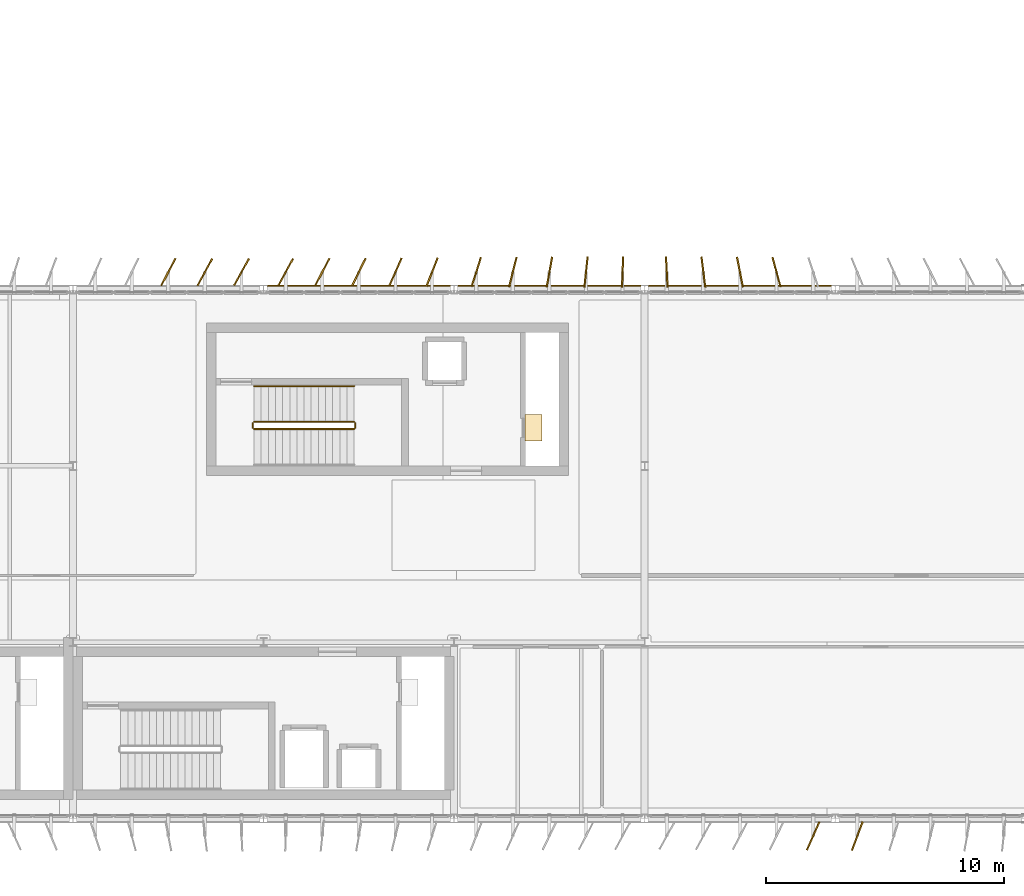
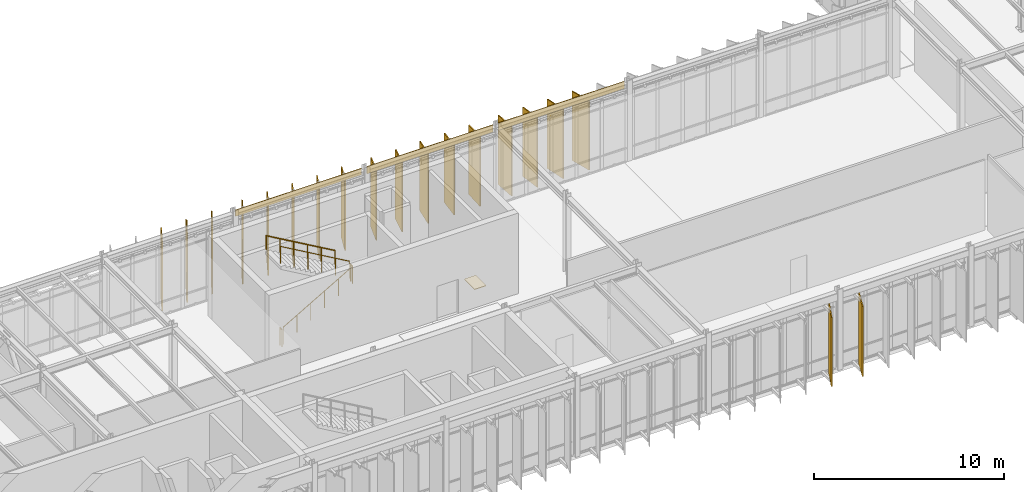
# One storey, part 44 of 48: 23 coverings, 5 railings.
"""IFC4 building model written with IfcOpenShell, lengths in metres."""

import ifcopenshell
import ifcopenshell.guid

model = None  # the IFC model being written
_history = None  # IfcOwnerHistory: only IFC2X3 demands one
_inside = {}  # id of a spatial element -> (the spatial element, [elements in it])
_under = {}  # id of a project, library or spatial element -> (it, [spatial elements below it])
_declared = {}  # id of a project -> (the project, [libraries it declares])
_typed = {}  # id of a type object -> (the type object, [elements of that type])
_made_of = {}  # id of a material, layer set ... -> (it, [elements and type objects made of it])


def new_model(schema):
    """Start an empty IFC model of exactly this schema.

    Asked for "IFC4X3", IfcOpenShell would pick the latest addendum, in which some entities
    have other attributes; the version numbers below select the first issue.
    IFC2X3 requires an IfcOwnerHistory on every rooted entity: one is made here for all.
    """
    global model, _history
    if schema == "IFC4X3":
        model = ifcopenshell.file(schema_version=(4, 3, 0, 0))
    else:
        model = ifcopenshell.file(schema=schema)
    _inside.clear()
    _under.clear()
    _declared.clear()
    _typed.clear()
    _made_of.clear()
    _history = None
    if model.schema == "IFC2X3":
        org = make("IfcOrganization", Name="unknown")
        user = make(
            "IfcPersonAndOrganization",
            ThePerson=make("IfcPerson", FamilyName="unknown"),
            TheOrganization=org,
        )
        app = make(
            "IfcApplication",
            ApplicationDeveloper=org,
            Version="unknown",
            ApplicationFullName="unknown",
            ApplicationIdentifier="unknown",
        )
        _history = make(
            "IfcOwnerHistory",
            OwningUser=user,
            OwningApplication=app,
            ChangeAction="ADDED",
            CreationDate=0,
        )
    return model


def make(cls, **values):
    """One entity of the class cls with the attributes given. An attribute that is None is left unset."""
    return model.create_entity(
        cls, **{name: value for name, value in values.items() if value is not None}
    )


def rooted(cls, **values):
    """An entity with a GlobalId (a new one), such as an element, a storey or a relation."""
    return make(cls, GlobalId=ifcopenshell.guid.new(), OwnerHistory=_history, **values)


def si_unit(unit_type, name, prefix=None):
    """IfcSIUnit, for example si_unit("LENGTHUNIT", "METRE", prefix="MILLI")."""
    return make("IfcSIUnit", UnitType=unit_type, Prefix=prefix, Name=name)


def assignment(units):
    """IfcUnitAssignment: the units of a project."""
    return None if units is None else make("IfcUnitAssignment", Units=units)


def point(xyz):
    """IfcCartesianPoint."""
    return None if xyz is None else make("IfcCartesianPoint", Coordinates=xyz)


def direction(xyz):
    """IfcDirection."""
    return None if xyz is None else make("IfcDirection", DirectionRatios=xyz)


def frame(location, z_axis=None, x_axis=None):
    """IfcAxis2Placement3D, a coordinate frame: its origin and axes. An axis left out is left unset."""
    return make(
        "IfcAxis2Placement3D",
        Location=point(location),
        Axis=direction(z_axis),
        RefDirection=direction(x_axis),
    )


def frame_2d(location, x_axis=None):
    """IfcAxis2Placement2D, a coordinate frame in the plane: its origin and x axis."""
    return make(
        "IfcAxis2Placement2D", Location=point(location), RefDirection=direction(x_axis)
    )


def origin():
    """The frame at (0, 0, 0) with its axes left unset."""
    return frame((0.0, 0.0, 0.0))


def origin_2d():
    """The frame at (0, 0) in the plane with its x axis left unset."""
    return frame_2d((0.0, 0.0))


def place(relative_to, where):
    """IfcLocalPlacement: puts the frame where relative to a parent placement (None: the world)."""
    return make(
        "IfcLocalPlacement", PlacementRelTo=relative_to, RelativePlacement=where
    )


def context(
    kind, dimensions, precision=None, world=None, true_north=None, identifier=None
):
    """IfcGeometricRepresentationContext, for example the 3D "Model" context."""
    return make(
        "IfcGeometricRepresentationContext",
        ContextIdentifier=identifier,
        ContextType=kind,
        CoordinateSpaceDimension=dimensions,
        Precision=precision,
        WorldCoordinateSystem=world,
        TrueNorth=true_north,
    )


def subcontext(parent, identifier, kind, view, scale=None):
    """IfcGeometricRepresentationSubContext, for example "Body" below "Model"."""
    return make(
        "IfcGeometricRepresentationSubContext",
        ContextIdentifier=identifier,
        ContextType=kind,
        ParentContext=parent,
        TargetScale=scale,
        TargetView=view,
    )


def project(units=None, contexts=None):
    """IfcProject with its units and contexts."""
    return rooted(
        "IfcProject",
        Name="project",
        RepresentationContexts=contexts,
        UnitsInContext=assignment(units),
    )


def spatial(cls, under=None, at=None, **own):
    """A site, building, storey or space (cls), placed at a placement, below another one or the project."""
    s = rooted(cls, ObjectPlacement=at, **own)
    if under is not None:
        _under.setdefault(under.id(), (under, []))[1].append(s)
    return s


def polyline(points):
    """IfcPolyline through the points."""
    return make("IfcPolyline", Points=[point(p) for p in points])


def profile(cls, at=None, kind="AREA", **sizes):
    """A parametric profile (cls). Its sizes go by their IFC names, for example OverallWidth=200.0."""
    return make(cls, ProfileType=kind, Position=at, **sizes)


def rectangle(**sizes):
    """IfcRectangleProfileDef."""
    return profile("IfcRectangleProfileDef", **sizes)


def circle(**sizes):
    """IfcCircleProfileDef."""
    return profile("IfcCircleProfileDef", **sizes)


def outline(outer, holes=None, kind="AREA"):
    """IfcArbitraryClosedProfileDef: a profile drawn as a closed curve; with holes, ...WithVoids."""
    if holes is None:
        return make("IfcArbitraryClosedProfileDef", ProfileType=kind, OuterCurve=outer)
    return make(
        "IfcArbitraryProfileDefWithVoids",
        ProfileType=kind,
        OuterCurve=outer,
        InnerCurves=holes,
    )


def extrude(swept, where, along, depth):
    """IfcExtrudedAreaSolid: the profile swept, set in the frame where, extruded along a direction by depth."""
    return make(
        "IfcExtrudedAreaSolid",
        SweptArea=swept,
        Position=where,
        ExtrudedDirection=direction(along),
        Depth=depth,
    )


def shape(context_of_items, identifier, shape_type, items):
    """IfcShapeRepresentation: the items that make up one representation, for example the "Body"."""
    return make(
        "IfcShapeRepresentation",
        ContextOfItems=context_of_items,
        RepresentationIdentifier=identifier,
        RepresentationType=shape_type,
        Items=items,
    )


def material(Name=None, Category=None):
    """IfcMaterial."""
    return make("IfcMaterial", Name=Name, Category=Category)


def layer(
    of_material, thickness, ventilated=None, Name=None, Category=None, Priority=None
):
    """IfcMaterialLayer: one layer of a wall or slab, of a material (None: an air gap)."""
    return make(
        "IfcMaterialLayer",
        Material=of_material,
        LayerThickness=thickness,
        IsVentilated=ventilated,
        Name=Name,
        Category=Category,
        Priority=Priority,
    )


def layer_set(layers, Name=None):
    """IfcMaterialLayerSet."""
    return make("IfcMaterialLayerSet", MaterialLayers=layers, LayerSetName=Name)


def made_of(thing, what):
    """Note that an element or type object is made of a material, layer set ...; save() writes the relation."""
    if what is not None:
        _made_of.setdefault(what.id(), (what, []))[1].append(thing)
    return thing


def type_object(cls, material=None, **own):
    """A type object (cls), such as IfcWallType, which elements share."""
    return made_of(rooted(cls, **own), material)


def element(
    cls,
    number,
    at=None,
    inside=None,
    cuts=None,
    type_object=None,
    material=None,
    context=None,
    identifier="Body",
    shape_type=None,
    held_by="IfcProductDefinitionShape",
    body=None,
    shapes=None,
    **own,
):
    """One element of the class cls, such as IfcWall. Its Tag is "e" and its number.

    at: its placement. inside: the storey or other place that contains it. cuts: it is an
    opening in that element (IfcRelVoidsElement). A single representation is given by context,
    identifier, shape_type and body (its items); several are given by shapes. held_by: the class
    of the entity that holds the representations. save() writes the other relations.
    """
    e = rooted(cls, Tag="e%d" % number, ObjectPlacement=at, **own)
    if body is not None:
        shapes = [shape(context, identifier, shape_type, body)]
    if shapes is not None:
        e.Representation = make(held_by, Representations=shapes)
    if inside is not None:
        _inside.setdefault(inside.id(), (inside, []))[1].append(e)
    if cuts is not None:
        rooted(
            "IfcRelVoidsElement", RelatingBuildingElement=cuts, RelatedOpeningElement=e
        )
    if type_object is not None:
        _typed.setdefault(type_object.id(), (type_object, []))[1].append(e)
    return made_of(e, material)


def aggregate(whole, parts):
    """IfcRelAggregates: a whole, such as a stair, and the parts it consists of."""
    return rooted("IfcRelAggregates", RelatingObject=whole, RelatedObjects=parts)


def save(model, path):
    """Write the relations noted so far, then the file.

    IfcRelAggregates (storeys below a building ...), IfcRelContainedInSpatialStructure (elements
    in a storey), IfcRelDefinesByType, IfcRelAssociatesMaterial and IfcRelDeclares: one each for
    every whole, place, type object, material and project.
    """
    for whole, parts in _under.values():
        aggregate(whole, parts)
    for where, things in _inside.values():
        rooted(
            "IfcRelContainedInSpatialStructure",
            RelatedElements=things,
            RelatingStructure=where,
        )
    for kind, things in _typed.values():
        rooted("IfcRelDefinesByType", RelatedObjects=things, RelatingType=kind)
    for what, things in _made_of.values():
        rooted("IfcRelAssociatesMaterial", RelatedObjects=things, RelatingMaterial=what)
    for by, libraries in _declared.values():
        rooted("IfcRelDeclares", RelatingContext=by, RelatedDefinitions=libraries)
    model.write(path)


model = new_model("IFC4")

# Units and contexts
model_context = context("Model", 3, precision=1e-05, world=origin(), true_north=direction((0.0, 1.0)))
body_context = subcontext(model_context, "Body", "Model", "MODEL_VIEW")
ifc_project = project(units=[si_unit("LENGTHUNIT", "METRE"), si_unit("AREAUNIT", "SQUARE_METRE"), si_unit("VOLUMEUNIT", "CUBIC_METRE"), si_unit("PLANEANGLEUNIT", "RADIAN"), si_unit("MASSUNIT", "GRAM", prefix="KILO")], contexts=[model_context])

# Site, building, storey
site_placement = place(None, origin())
site = spatial("IfcSite", under=ifc_project, at=site_placement, CompositionType="ELEMENT")
building_placement = place(site_placement, origin())
building = spatial("IfcBuilding", under=site, at=building_placement, Name="Valkorina Park Police Headquarters", CompositionType="ELEMENT")
storey_placement = place(building_placement, frame((0.0, 0.0, 18.10009765625)))
storey = spatial("IfcBuildingStorey", under=building, at=storey_placement, Name="L05", CompositionType="ELEMENT", Elevation=18.10009765625)

# Coverings
ifc_material_1 = material(Name="Precast concrete C40/50", Category="concrete")
ifc_layer_1 = layer(ifc_material_1, 0.044921875)
ifc_layer_set_1 = layer_set([ifc_layer_1], Name="Precast concrete C40/50")
covering_type_1 = type_object("IfcCoveringType", Name="COV-CLAD-DOLOMITE", PredefinedType="CLADDING", material=ifc_layer_set_1)
covering_1_placement = place(storey_placement, frame((40.9599609375, 59.360107421875, 4.579833984375), z_axis=(0.0, 0.0, 1.0), x_axis=(1.0, 0.0, 0.0)))
element("IfcCovering", 1, at=covering_1_placement, inside=storey, type_object=covering_type_1, Name="L05 Spandrel Beam Insulated Fascia 2418", PredefinedType="CLADDING", context=body_context, shape_type="SweptSolid", body=[
    extrude(rectangle(XDim=7.679931640625, YDim=0.044921875, at=frame_2d((3.83984375, 0.0))), origin(), (0.0, 0.0, 1.0), 0.400146484375),
])
for number, where, z_axis, x_axis, name in (
    (2, (48.9599609375, 59.360107421875, 4.52001953125), (0.0, 0.0, 1.0), (1.0, 0.0, 0.0), "L05 Spandrel Beam Insulated Fascia 2419"),
    (3, (56.9599609375, 59.360107421875, 4.52001953125), (0.0, 0.0, 1.0), (1.0, 0.0, 0.0), "L05 Spandrel Beam Insulated Fascia 2420"),
):
    element("IfcCovering", number, at=place(storey_placement, frame(where, z_axis=z_axis, x_axis=x_axis)), inside=storey, type_object=covering_type_1, Name=name, PredefinedType="CLADDING", context=body_context, shape_type="SweptSolid", body=[
        extrude(rectangle(XDim=7.679931640625, YDim=0.044921875, at=frame_2d((3.83984375, 0.0))), origin(), (0.0, 0.0, 1.0), 0.4599609375),
    ])
ifc_material_2 = material(Name="Resin terrazzo flooring")
ifc_layer_2 = layer(ifc_material_2, 0.030029296875)
ifc_layer_set_2 = layer_set([ifc_layer_2], Name="Resin terrazzo flooring")
covering_type_2 = type_object("IfcCoveringType", Name="COV-FLOOR-TERRAZZO", PredefinedType="FLOORING", material=ifc_layer_set_2)
covering_2_placement = place(storey_placement, origin())
element("IfcCovering", 4, at=covering_2_placement, inside=storey, type_object=covering_type_2, Name="Core C3 L05 Riser Inspection Threshold Grate", PredefinedType="FLOORING", context=body_context, shape_type="SweptSolid", body=[
    extrude(outline(polyline([(52.47998046875, 52.85009765625), (52.47998046875, 53.949951171875), (51.780029296875, 53.949951171875), (51.780029296875, 52.85009765625), (52.47998046875, 52.85009765625)])), origin(), (0.0, 0.0, 1.0), 0.02978515625),
])

# Railings
ifc_material_3 = material(Name="Stainless steel EN 1.4404", Category="steel")
railing_type_1 = type_object("IfcRailingType", Name="RL-GUARD-INT-1100", PredefinedType="BALUSTRADE", material=ifc_material_3)
railing_1_placement = place(storey_placement, frame((40.39990234375, 53.35009765625, 0.17333984375)))
element("IfcRailing", 5, at=railing_1_placement, inside=storey, type_object=railing_type_1, Name="L05 Core C3 Stair Guard 1", PredefinedType="BALUSTRADE", context=body_context, shape_type="SweptSolid", body=[
    extrude(circle(Radius=0.02392578125, at=origin_2d()), frame((0.0, 0.0, 1.09619140625), z_axis=(0.865888812096, 0.0, 0.50023650915), x_axis=(0.0, 1.0, 0.0)), (0.0, 0.0, 1.0), 4.850830078125),
    extrude(circle(Radius=0.02099609375, at=origin_2d()), origin(), (0.0, 0.0, 1.0), 1.072021484375),
    extrude(circle(Radius=0.02099609375, at=origin_2d()), frame((0.840087890625, 0.0, 0.4853515625)), (0.0, 0.0, 1.0), 1.072021484375),
    extrude(circle(Radius=0.02099609375, at=origin_2d()), frame((1.68017578125, 0.0, 0.970703125)), (0.0, 0.0, 1.0), 1.072021484375),
    extrude(circle(Radius=0.02099609375, at=origin_2d()), frame((2.52001953125, 0.0, 1.455810546875)), (0.0, 0.0, 1.0), 1.072021484375),
    extrude(circle(Radius=0.02099609375, at=origin_2d()), frame((3.360107421875, 0.0, 1.941162109375)), (0.0, 0.0, 1.0), 1.072021484375),
    extrude(circle(Radius=0.02099609375, at=origin_2d()), frame((4.2001953125, 0.0, 2.426513671875)), (0.0, 0.0, 1.0), 1.072021484375),
])
railing_2_placement = place(storey_placement, frame((44.64990234375, 53.39990234375, 2.599853515625)))
element("IfcRailing", 6, at=railing_2_placement, inside=storey, type_object=railing_type_1, Name="L05 Core C3 Stair Guard 2", PredefinedType="BALUSTRADE", context=body_context, shape_type="SweptSolid", body=[
    extrude(circle(Radius=0.02392578125, at=origin_2d()), frame((0.0, 0.0, 1.09619140625), z_axis=(0.0, 1.0, 0.0), x_axis=(-1.0, 0.0, 0.0)), (0.0, 0.0, 1.0), 0.2001953125),
    extrude(circle(Radius=0.02099609375, at=origin_2d()), origin(), (0.0, 0.0, 1.0), 1.072021484375),
    extrude(circle(Radius=0.02099609375, at=origin_2d()), frame((0.0, 0.2001953125, 0.0)), (0.0, 0.0, 1.0), 1.072021484375),
])
railing_3_placement = place(storey_placement, frame((44.60009765625, 53.64990234375, 2.773193359375)))
element("IfcRailing", 7, at=railing_3_placement, inside=storey, type_object=railing_type_1, Name="L05 Core C3 Stair Guard 3", PredefinedType="BALUSTRADE", context=body_context, shape_type="SweptSolid", body=[
    extrude(circle(Radius=0.02392578125, at=origin_2d()), frame((0.0, 0.0, 1.09619140625), z_axis=(-0.865867011134, 0.0, 0.50027424382), x_axis=(0.0, -1.0, 0.0)), (0.0, 0.0, 1.0), 4.850830078125),
    extrude(circle(Radius=0.02099609375, at=origin_2d()), origin(), (0.0, 0.0, 1.0), 1.072021484375),
    extrude(circle(Radius=0.02099609375, at=origin_2d()), frame((-0.840087890625, 0.0, 0.4853515625)), (0.0, 0.0, 1.0), 1.072021484375),
    extrude(circle(Radius=0.02099609375, at=origin_2d()), frame((-1.68017578125, 0.0, 0.970703125)), (0.0, 0.0, 1.0), 1.072021484375),
    extrude(circle(Radius=0.02099609375, at=origin_2d()), frame((-2.52001953125, 0.0, 1.4560546875)), (0.0, 0.0, 1.0), 1.072021484375),
    extrude(circle(Radius=0.02099609375, at=origin_2d()), frame((-3.360107421875, 0.0, 1.94140625)), (0.0, 0.0, 1.0), 1.072021484375),
    extrude(circle(Radius=0.02099609375, at=origin_2d()), frame((-4.2001953125, 0.0, 2.4267578125)), (0.0, 0.0, 1.0), 1.072021484375),
])
railing_4_placement = place(storey_placement, frame((40.35009765625, 53.39990234375, 0.0)))
element("IfcRailing", 8, at=railing_4_placement, inside=storey, type_object=railing_type_1, Name="L05 Core C3 Stair Guard 4", PredefinedType="BALUSTRADE", context=body_context, shape_type="SweptSolid", body=[
    extrude(circle(Radius=0.02392578125, at=origin_2d()), frame((0.0, 0.0, 1.09619140625), z_axis=(0.0, 1.0, 0.0), x_axis=(-1.0, 0.0, 0.0)), (0.0, 0.0, 1.0), 0.2001953125),
    extrude(circle(Radius=0.02099609375, at=origin_2d()), origin(), (0.0, 0.0, 1.0), 1.072021484375),
    extrude(circle(Radius=0.02099609375, at=origin_2d()), frame((0.0, 0.2001953125, 0.0)), (0.0, 0.0, 1.0), 1.072021484375),
])
railing_type_2 = type_object("IfcRailingType", Name="RL-HANDRAIL-900", PredefinedType="HANDRAIL", material=ifc_material_3)
railing_5_placement = place(storey_placement, frame((44.60009765625, 55.14990234375, 2.773193359375)))
element("IfcRailing", 9, at=railing_5_placement, inside=storey, type_object=railing_type_2, Name="L05 Core C3 Stair Handrail 2", PredefinedType="HANDRAIL", context=body_context, shape_type="SweptSolid", body=[
    extrude(circle(Radius=0.02392578125, at=origin_2d()), frame((0.0, 0.0, 0.8759765625), z_axis=(-0.865867011134, 0.0, 0.50027424382), x_axis=(0.0, -1.0, 0.0)), (0.0, 0.0, 1.0), 4.850830078125),
    extrude(circle(Radius=0.02099609375, at=origin_2d()), origin(), (0.0, 0.0, 1.0), 0.851806640625),
    extrude(circle(Radius=0.02099609375, at=origin_2d()), frame((-0.840087890625, 0.0, 0.4853515625)), (0.0, 0.0, 1.0), 0.851806640625),
    extrude(circle(Radius=0.02099609375, at=origin_2d()), frame((-1.68017578125, 0.0, 0.970703125)), (0.0, 0.0, 1.0), 0.851806640625),
    extrude(circle(Radius=0.02099609375, at=origin_2d()), frame((-2.52001953125, 0.0, 1.4560546875)), (0.0, 0.0, 1.0), 0.851806640625),
    extrude(circle(Radius=0.02099609375, at=origin_2d()), frame((-3.360107421875, 0.0, 1.94140625)), (0.0, 0.0, 1.0), 0.851806640625),
    extrude(circle(Radius=0.02099609375, at=origin_2d()), frame((-4.2001953125, 0.0, 2.4267578125)), (0.0, 0.0, 1.0), 0.851806640625),
])

# Coverings
ifc_material_4 = material(Name="Polychrome anodized aluminium - Baltic Amber", Category="aluminium")
ifc_layer_3 = layer(ifc_material_4, 0.06494140625)
ifc_layer_set_3 = layer_set([ifc_layer_3], Name="Polychrome anodized aluminium - Baltic Amber")
covering_type_3 = type_object("IfcCoveringType", Name="SHD-LOUVRE-AMBER", PredefinedType="CLADDING", material=ifc_layer_set_3)
covering_3_placement = place(storey_placement, frame((36.800048828125, 59.93994140625, 0.0400390625), z_axis=(0.0, 0.0, 1.0), x_axis=(0.463605350294, 0.886041804419, 0.0)))
element("IfcCovering", 10, at=covering_3_placement, inside=storey, type_object=covering_type_3, Name="V5 Polychrome Pivoting Louvre 0267", PredefinedType="CLADDING", context=body_context, shape_type="SweptSolid", body=[
    extrude(rectangle(XDim=1.280029296875, YDim=0.06494140625, at=origin_2d()), origin(), (0.0, 0.0, 1.0), 4.4599609375),
])
covering_4_placement = place(storey_placement, frame((43.263916015625, 59.93994140625, 0.039794921875), z_axis=(0.0, 0.0, 1.0), x_axis=(0.464378391008, 0.885636895101, 0.0)))
element("IfcCovering", 11, at=covering_4_placement, inside=storey, type_object=covering_type_3, Name="V5 Polychrome Pivoting Louvre 0271", PredefinedType="CLADDING", context=body_context, shape_type="SweptSolid", body=[
    extrude(rectangle(XDim=1.280029296875, YDim=0.06494140625, at=origin_2d()), origin(), (0.0, 0.0, 1.0), 4.52001953125),
])
for number, where, z_axis, x_axis, name in (
    (12, (49.72802734375, 59.93994140625, 0.0400390625), (0.0, 0.0, 1.0), (0.30236989075, 0.953190667793, 0.0), "V5 Polychrome Pivoting Louvre 0275"),
    (13, (55.8720703125, 59.93994140625, 0.0400390625), (0.0, 0.0, 1.0), (0.034725069567, 0.999396902909, 0.0), "V5 Polychrome Pivoting Louvre 0279"),
    (14, (62.3359375, 59.93994140625, 0.0400390625), (0.0, 0.0, 1.0), (-0.259661875744, 0.965699596295, 0.0), "V5 Polychrome Pivoting Louvre 0283"),
):
    element("IfcCovering", number, at=place(storey_placement, frame(where, z_axis=z_axis, x_axis=x_axis)), inside=storey, type_object=covering_type_3, Name=name, PredefinedType="CLADDING", context=body_context, shape_type="SweptSolid", body=[
        extrude(rectangle(XDim=1.280029296875, YDim=0.06494140625, at=origin_2d()), origin(), (0.0, 0.0, 1.0), 4.4599609375),
    ])
ifc_material_5 = material(Name="Polychrome anodized aluminium - Riga Ochre", Category="aluminium")
ifc_layer_4 = layer(ifc_material_5, 0.06494140625)
ifc_layer_set_4 = layer_set([ifc_layer_4], Name="Polychrome anodized aluminium - Riga Ochre")
covering_type_4 = type_object("IfcCoveringType", Name="SHD-LOUVRE-OCHRE", PredefinedType="CLADDING", material=ifc_layer_set_4)
covering_5_placement = place(storey_placement, frame((65.72802734375, 36.260009765625, 0.039794921875), z_axis=(0.0, 0.0, 1.0), x_axis=(-0.354291037998, -0.935135209686, 0.0)))
element("IfcCovering", 15, at=covering_5_placement, inside=storey, type_object=covering_type_4, Name="V5 Polychrome Pivoting Louvre 0187", PredefinedType="CLADDING", context=body_context, shape_type="SweptSolid", body=[
    extrude(rectangle(XDim=1.280029296875, YDim=0.06494140625, at=origin_2d()), origin(), (0.0, 0.0, 1.0), 4.52001953125),
])
covering_6_placement = place(storey_placement, frame((39.8720703125, 59.93994140625, 0.0400390625), z_axis=(0.0, 0.0, 1.0), x_axis=(0.484809620246, 0.874619707139, 0.0)))
element("IfcCovering", 16, at=covering_6_placement, inside=storey, type_object=covering_type_4, Name="V5 Polychrome Pivoting Louvre 0269", PredefinedType="CLADDING", context=body_context, shape_type="SweptSolid", body=[
    extrude(rectangle(XDim=1.280029296875, YDim=0.06494140625, at=origin_2d()), origin(), (0.0, 0.0, 1.0), 4.4599609375),
])
covering_7_placement = place(storey_placement, frame((46.3359375, 59.93994140625, 0.039794921875), z_axis=(0.0, 0.0, 1.0), x_axis=(0.406577193121, 0.913616432664, 0.0)))
element("IfcCovering", 17, at=covering_7_placement, inside=storey, type_object=covering_type_4, Name="V5 Polychrome Pivoting Louvre 0273", PredefinedType="CLADDING", context=body_context, shape_type="SweptSolid", body=[
    extrude(rectangle(XDim=1.280029296875, YDim=0.06494140625, at=origin_2d()), origin(), (0.0, 0.0, 1.0), 4.52001953125),
])
for number, where, z_axis, x_axis, name in (
    (18, (52.800048828125, 59.93994140625, 0.0400390625), (0.0, 0.0, 1.0), (0.177600039637, 0.984102751709, 0.0), "V5 Polychrome Pivoting Louvre 0277"),
    (19, (59.263916015625, 59.93994140625, 0.0400390625), (0.0, 0.0, 1.0), (-0.12671836439, 0.991938736075, 0.0), "V5 Polychrome Pivoting Louvre 0281"),
):
    element("IfcCovering", number, at=place(storey_placement, frame(where, z_axis=z_axis, x_axis=x_axis)), inside=storey, type_object=covering_type_4, Name=name, PredefinedType="CLADDING", context=body_context, shape_type="SweptSolid", body=[
        extrude(rectangle(XDim=1.280029296875, YDim=0.06494140625, at=origin_2d()), origin(), (0.0, 0.0, 1.0), 4.4599609375),
    ])
ifc_material_6 = material(Name="Polychrome anodized aluminium - Courland Slate Blue", Category="masonry")
ifc_layer_5 = layer(ifc_material_6, 0.06494140625)
ifc_layer_set_5 = layer_set([ifc_layer_5], Name="Polychrome anodized aluminium - Courland Slate Blue")
covering_type_5 = type_object("IfcCoveringType", Name="SHD-LOUVRE-SLATE", PredefinedType="CLADDING", material=ifc_layer_set_5)
covering_8_placement = place(storey_placement, frame((63.8720703125, 36.260009765625, 0.0400390625), z_axis=(0.0, 0.0, 1.0), x_axis=(-0.40641773078, -0.913687379856, 0.0)))
element("IfcCovering", 20, at=covering_8_placement, inside=storey, type_object=covering_type_5, Name="V5 Polychrome Pivoting Louvre 0188", PredefinedType="CLADDING", context=body_context, shape_type="SweptSolid", body=[
    extrude(rectangle(XDim=1.280029296875, YDim=0.06494140625, at=origin_2d()), origin(), (0.0, 0.0, 1.0), 4.4599609375),
])
for number, where, z_axis, x_axis, name in (
    (21, (41.72802734375, 59.93994140625, 0.039794921875), (0.0, 0.0, 1.0), (0.479304688984, 0.877648571535, 0.0), "V5 Polychrome Pivoting Louvre 0270"),
    (22, (47.8720703125, 59.93994140625, 0.039794921875), (0.0, 0.0, 1.0), (0.364389234658, 0.931246737264, 0.0), "V5 Polychrome Pivoting Louvre 0274"),
):
    element("IfcCovering", number, at=place(storey_placement, frame(where, z_axis=z_axis, x_axis=x_axis)), inside=storey, type_object=covering_type_5, Name=name, PredefinedType="CLADDING", context=body_context, shape_type="SweptSolid", body=[
        extrude(rectangle(XDim=1.280029296875, YDim=0.06494140625, at=origin_2d()), origin(), (0.0, 0.0, 1.0), 4.52001953125),
    ])
for number, where, z_axis, x_axis, name in (
    (23, (54.3359375, 59.93994140625, 0.0400390625), (0.0, 0.0, 1.0), (0.107478804698, 0.994207376024, 0.0), "V5 Polychrome Pivoting Louvre 0278"),
    (24, (60.800048828125, 59.93994140625, 0.0400390625), (0.0, 0.0, 1.0), (-0.195603833222, 0.98068299691, 0.0), "V5 Polychrome Pivoting Louvre 0282"),
):
    element("IfcCovering", number, at=place(storey_placement, frame(where, z_axis=z_axis, x_axis=x_axis)), inside=storey, type_object=covering_type_5, Name=name, PredefinedType="CLADDING", context=body_context, shape_type="SweptSolid", body=[
        extrude(rectangle(XDim=1.280029296875, YDim=0.06494140625, at=origin_2d()), origin(), (0.0, 0.0, 1.0), 4.4599609375),
    ])
ifc_material_7 = material(Name="Polychrome anodized aluminium - Pine Verdigris", Category="aluminium")
ifc_layer_6 = layer(ifc_material_7, 0.06494140625)
ifc_layer_set_6 = layer_set([ifc_layer_6], Name="Polychrome anodized aluminium - Pine Verdigris")
covering_type_6 = type_object("IfcCoveringType", Name="SHD-LOUVRE-VERDIGRIS", PredefinedType="CLADDING", material=ifc_layer_set_6)
covering_9_placement = place(storey_placement, frame((38.3359375, 59.93994140625, 0.0400390625), z_axis=(0.0, 0.0, 1.0), x_axis=(0.478845087586, 0.877899414566, 0.0)))
element("IfcCovering", 25, at=covering_9_placement, inside=storey, type_object=covering_type_6, Name="V5 Polychrome Pivoting Louvre 0268", PredefinedType="CLADDING", context=body_context, shape_type="SweptSolid", body=[
    extrude(rectangle(XDim=1.280029296875, YDim=0.06494140625, at=origin_2d()), origin(), (0.0, 0.0, 1.0), 4.4599609375),
])
covering_10_placement = place(storey_placement, frame((44.800048828125, 59.93994140625, 0.039794921875), z_axis=(0.0, 0.0, 1.0), x_axis=(0.440095898534, 0.897950778213, 0.0)))
element("IfcCovering", 26, at=covering_10_placement, inside=storey, type_object=covering_type_6, Name="V5 Polychrome Pivoting Louvre 0272", PredefinedType="CLADDING", context=body_context, shape_type="SweptSolid", body=[
    extrude(rectangle(XDim=1.280029296875, YDim=0.06494140625, at=origin_2d()), origin(), (0.0, 0.0, 1.0), 4.52001953125),
])
for number, where, z_axis, x_axis, name in (
    (27, (51.263916015625, 59.93994140625, 0.0400390625), (0.0, 0.0, 1.0), (0.242937854074, 0.970041854282, 0.0), "V5 Polychrome Pivoting Louvre 0276"),
    (28, (57.72802734375, 59.93994140625, 0.0400390625), (0.0, 0.0, 1.0), (-0.054427364735, 0.998517732425, 0.0), "V5 Polychrome Pivoting Louvre 0280"),
):
    element("IfcCovering", number, at=place(storey_placement, frame(where, z_axis=z_axis, x_axis=x_axis)), inside=storey, type_object=covering_type_6, Name=name, PredefinedType="CLADDING", context=body_context, shape_type="SweptSolid", body=[
        extrude(rectangle(XDim=1.280029296875, YDim=0.06494140625, at=origin_2d()), origin(), (0.0, 0.0, 1.0), 4.4599609375),
    ])

save(model, "model.ifc")
